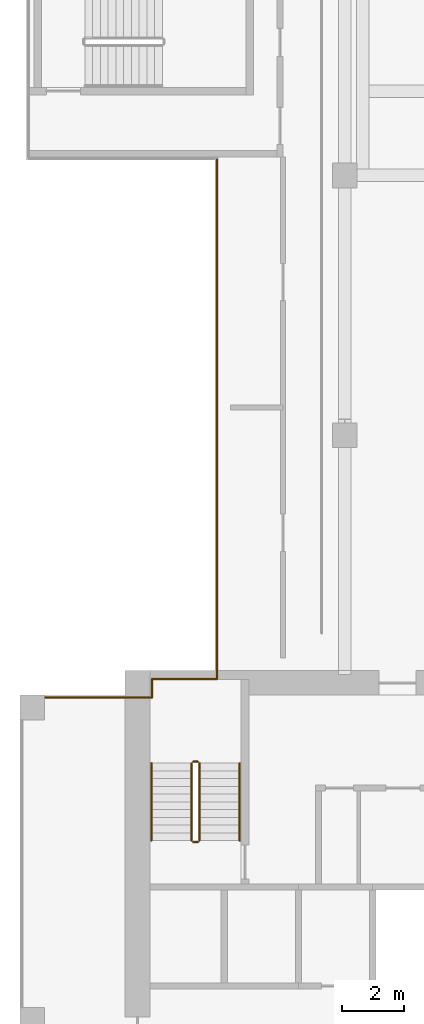
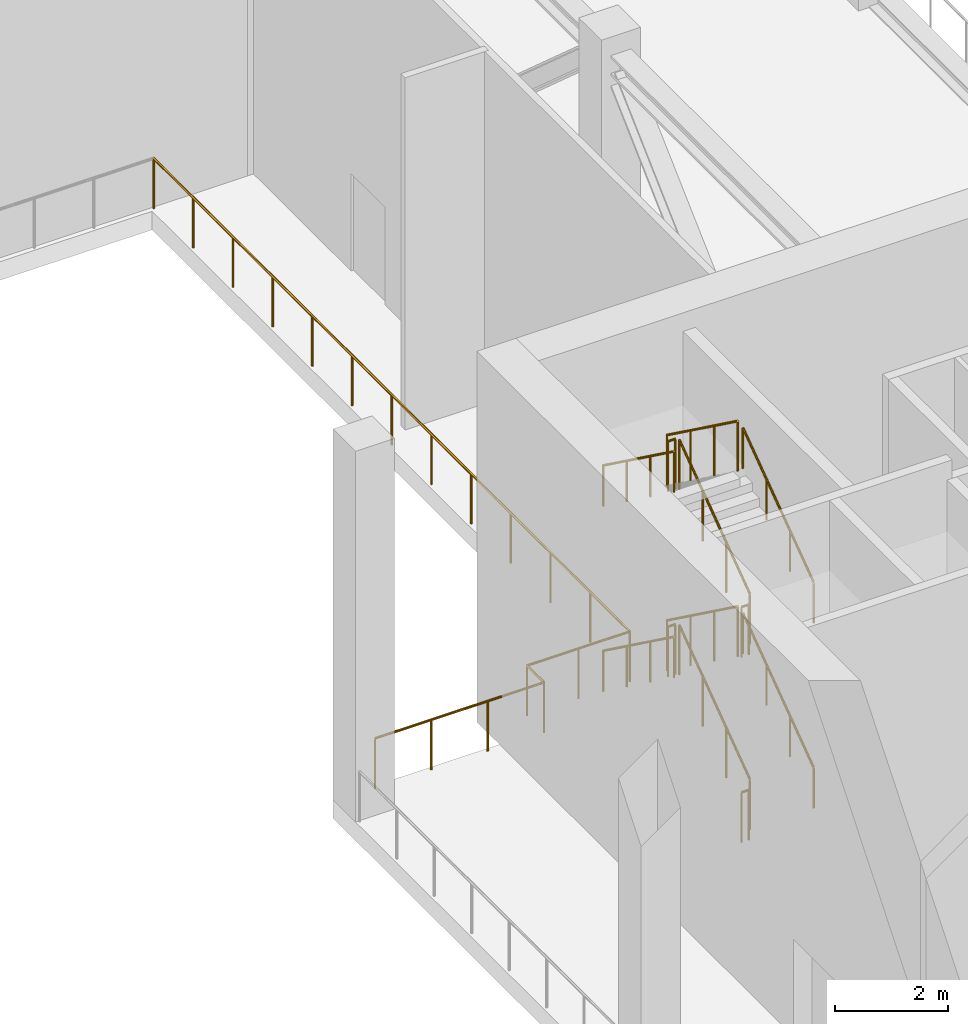
# One storey, part 5 of 9: 16 railings.
"""IFC4 building model written with IfcOpenShell, lengths in metres."""

from ifc_helpers import new_model, si_unit, direction, frame, origin, origin_2d, place, context, subcontext, project, spatial, circle, extrude, source, transform, mapped, material, type_object, element, save


model = new_model("IFC4")

# Units and contexts
model_context = context("Model", 3, precision=1e-05, world=origin(), true_north=direction((0.0, 1.0)))
body_context = subcontext(model_context, "Body", "Model", "MODEL_VIEW")
ifc_project = project(units=[si_unit("LENGTHUNIT", "METRE"), si_unit("AREAUNIT", "SQUARE_METRE"), si_unit("VOLUMEUNIT", "CUBIC_METRE"), si_unit("PLANEANGLEUNIT", "RADIAN"), si_unit("MASSUNIT", "GRAM", prefix="KILO")], contexts=[model_context])

# Site, building, storey
site_placement = place(None, origin())
site = spatial("IfcSite", under=ifc_project, at=site_placement, CompositionType="ELEMENT")
building_placement = place(site_placement, origin())
building = spatial("IfcBuilding", under=site, at=building_placement, Name="Aurelian Terraces", CompositionType="ELEMENT")
storey_placement = place(building_placement, frame((0.0, 0.0, 269.0)))
storey = spatial("IfcBuildingStorey", under=building, at=storey_placement, Name="L62", CompositionType="ELEMENT", Elevation=269.0)

# Railings
ifc_material_1 = material(Name="Anodised aluminium", Category="aluminium")
railing_type_1 = type_object("IfcRailingType", Name="GUARD-1100", PredefinedType="GUARDRAIL", material=ifc_material_1)
railing_1_placement = place(storey_placement, frame((0.82, 20.93, 0.0)))
element("IfcRailing", 1, at=railing_1_placement, inside=storey, type_object=railing_type_1, Name="Wind floor guard L62 13", PredefinedType="GUARDRAIL", context=body_context, shape_type="SweptSolid", body=[
    extrude(circle(Radius=0.024, at=origin_2d()), frame((0.0, 0.0, 1.076), z_axis=(1.0, 0.0, 0.0), x_axis=(0.0, 1.0, 0.0)), (0.0, 0.0, 1.0), 3.45),
    extrude(circle(Radius=0.021, at=origin_2d()), origin(), (0.0, 0.0, 1.0), 1.052),
    extrude(circle(Radius=0.021, at=origin_2d()), frame((1.15, 0.0, 0.0)), (0.0, 0.0, 1.0), 1.052),
    extrude(circle(Radius=0.021, at=origin_2d()), frame((2.3, 0.0, 0.0)), (0.0, 0.0, 1.0), 1.052),
    extrude(circle(Radius=0.021, at=origin_2d()), frame((3.45, 0.0, 0.0)), (0.0, 0.0, 1.0), 1.052),
])
shared_shape_1 = source(origin(), body_context, "Body", "SweptSolid", [
    extrude(circle(Radius=0.024, at=origin_2d()), frame((0.0, 0.0, 1.076), z_axis=(0.0, 1.0, 0.0), x_axis=(-1.0, 0.0, 0.0)), (0.0, 0.0, 1.0), 0.6),
    extrude(circle(Radius=0.021, at=origin_2d()), origin(), (0.0, 0.0, 1.0), 1.052),
    extrude(circle(Radius=0.021, at=origin_2d()), frame((0.0, 0.6, 0.0)), (0.0, 0.0, 1.0), 1.052),
])
railing_2_placement = place(storey_placement, frame((4.27, 20.93, 0.0)))
element("IfcRailing", 2, at=railing_2_placement, inside=storey, type_object=railing_type_1, Name="Wind floor guard L62 14", PredefinedType="GUARDRAIL", context=body_context, shape_type="MappedRepresentation", body=[
    mapped(shared_shape_1, transform((0.0, 0.0, 0.0), scale=1.0)),
])
shared_shape_2 = source(origin(), body_context, "Body", "SweptSolid", [
    extrude(circle(Radius=0.024, at=origin_2d()), frame((0.0, 0.0, 1.076), z_axis=(1.0, 0.0, 0.0), x_axis=(0.0, 1.0, 0.0)), (0.0, 0.0, 1.0), 2.1),
    extrude(circle(Radius=0.021, at=origin_2d()), origin(), (0.0, 0.0, 1.0), 1.052),
    extrude(circle(Radius=0.021, at=origin_2d()), frame((1.05, 0.0, 0.0)), (0.0, 0.0, 1.0), 1.052),
    extrude(circle(Radius=0.021, at=origin_2d()), frame((2.1, 0.0, 0.0)), (0.0, 0.0, 1.0), 1.052),
])
railing_3_placement = place(storey_placement, frame((4.27, 21.53, 0.0)))
element("IfcRailing", 3, at=railing_3_placement, inside=storey, type_object=railing_type_1, Name="Wind floor guard L62 15", PredefinedType="GUARDRAIL", context=body_context, shape_type="MappedRepresentation", body=[
    mapped(shared_shape_2, transform((0.0, 0.0, 0.0), scale=1.0)),
])
shared_shape_3 = source(origin(), body_context, "Body", "SweptSolid", [
    extrude(circle(Radius=0.024, at=origin_2d()), frame((0.0, 0.0, 1.076), z_axis=(0.0, 1.0, 0.0), x_axis=(-1.0, 0.0, 0.0)), (0.0, 0.0, 1.0), 16.84),
    extrude(circle(Radius=0.021, at=origin_2d()), origin(), (0.0, 0.0, 1.0), 1.052),
    extrude(circle(Radius=0.021, at=origin_2d()), frame((0.0, 1.4033, 0.0)), (0.0, 0.0, 1.0), 1.052),
    extrude(circle(Radius=0.021, at=origin_2d()), frame((0.0, 2.8067, 0.0)), (0.0, 0.0, 1.0), 1.052),
    extrude(circle(Radius=0.021, at=origin_2d()), frame((0.0, 4.21, 0.0)), (0.0, 0.0, 1.0), 1.052),
    extrude(circle(Radius=0.021, at=origin_2d()), frame((0.0, 5.6133, 0.0)), (0.0, 0.0, 1.0), 1.052),
    extrude(circle(Radius=0.021, at=origin_2d()), frame((0.0, 7.0167, 0.0)), (0.0, 0.0, 1.0), 1.052),
    extrude(circle(Radius=0.021, at=origin_2d()), frame((0.0, 8.42, 0.0)), (0.0, 0.0, 1.0), 1.052),
    extrude(circle(Radius=0.021, at=origin_2d()), frame((0.0, 9.8233, 0.0)), (0.0, 0.0, 1.0), 1.052),
    extrude(circle(Radius=0.021, at=origin_2d()), frame((0.0, 11.2267, 0.0)), (0.0, 0.0, 1.0), 1.052),
    extrude(circle(Radius=0.021, at=origin_2d()), frame((0.0, 12.63, 0.0)), (0.0, 0.0, 1.0), 1.052),
    extrude(circle(Radius=0.021, at=origin_2d()), frame((0.0, 14.0333, 0.0)), (0.0, 0.0, 1.0), 1.052),
    extrude(circle(Radius=0.021, at=origin_2d()), frame((0.0, 15.4367, 0.0)), (0.0, 0.0, 1.0), 1.052),
    extrude(circle(Radius=0.021, at=origin_2d()), frame((0.0, 16.84, 0.0)), (0.0, 0.0, 1.0), 1.052),
])
railing_4_placement = place(storey_placement, frame((6.37, 21.53, 0.0)))
element("IfcRailing", 4, at=railing_4_placement, inside=storey, type_object=railing_type_1, Name="Wind floor guard L62 16", PredefinedType="GUARDRAIL", context=body_context, shape_type="MappedRepresentation", body=[
    mapped(shared_shape_3, transform((0.0, 0.0, 0.0), scale=1.0)),
])
ifc_material_2 = material(Name="Stainless steel", Category="steel")
railing_type_2 = type_object("IfcRailingType", Name="Stair guard 1100", PredefinedType="GUARDRAIL", material=ifc_material_2)
shared_shape_4 = source(origin(), body_context, "Body", "SweptSolid", [
    extrude(circle(Radius=0.024, at=origin_2d()), frame((0.0, 0.0, 1.076), z_axis=(-1.0, 0.0, 0.0), x_axis=(0.0, -1.0, 0.0)), (0.0, 0.0, 1.0), 0.15),
    extrude(circle(Radius=0.021, at=origin_2d()), origin(), (0.0, 0.0, 1.0), 1.052),
    extrude(circle(Radius=0.021, at=origin_2d()), frame((-0.15, 0.0, 0.0)), (0.0, 0.0, 1.0), 1.052),
])
for number, where, name in (
    (5, (5.75, 18.85, 2.0), "L62 S1 stair guard 2"),
    (6, (5.75, 16.25, 4.0), "L62 S1 stair guard 4"),
    (7, (5.75, 18.85, 6.0), "L62 S1 stair guard 6"),
    (8, (5.75, 16.25, 0.0), "L62 S1 stair guard 8"),
):
    element("IfcRailing", number, at=place(storey_placement, frame(where)), inside=storey, type_object=railing_type_2, Name=name, PredefinedType="GUARDRAIL", context=body_context, shape_type="MappedRepresentation", body=[
        mapped(shared_shape_4, transform((0.0, 0.0, 0.0), scale=1.0)),
    ])
shared_shape_5 = source(origin(), body_context, "Body", "SweptSolid", [
    extrude(circle(Radius=0.024, at=origin_2d()), frame((0.0, 0.0, 1.076), z_axis=(0.0, 0.808733286514, 0.588175544616), x_axis=(-1.0, 0.0, 0.0)), (0.0, 0.0, 1.0), 3.0913),
    extrude(circle(Radius=0.021, at=origin_2d()), origin(), (0.0, 0.0, 1.0), 1.052),
    extrude(circle(Radius=0.021, at=origin_2d()), frame((0.0, 0.8333, 0.6061)), (0.0, 0.0, 1.0), 1.052),
    extrude(circle(Radius=0.021, at=origin_2d()), frame((0.0, 1.6667, 1.2121)), (0.0, 0.0, 1.0), 1.052),
    extrude(circle(Radius=0.021, at=origin_2d()), frame((0.0, 2.5, 1.8182)), (0.0, 0.0, 1.0), 1.052),
])
for number, where, name in (
    (9, (5.8, 16.3, 0.1818), "L62 S1 stair guard 1"),
    (10, (5.8, 16.3, 4.1818), "L62 S1 stair guard 5"),
):
    element("IfcRailing", number, at=place(storey_placement, frame(where)), inside=storey, type_object=railing_type_2, Name=name, PredefinedType="GUARDRAIL", context=body_context, shape_type="MappedRepresentation", body=[
        mapped(shared_shape_5, transform((0.0, 0.0, 0.0), scale=1.0)),
    ])
shared_shape_6 = source(origin(), body_context, "Body", "SweptSolid", [
    extrude(circle(Radius=0.024, at=origin_2d()), frame((0.0, 0.0, 1.076), z_axis=(0.0, -0.808733286514, 0.588175544616), x_axis=(1.0, 0.0, 0.0)), (0.0, 0.0, 1.0), 3.0913),
    extrude(circle(Radius=0.021, at=origin_2d()), origin(), (0.0, 0.0, 1.0), 1.052),
    extrude(circle(Radius=0.021, at=origin_2d()), frame((0.0, -0.8333, 0.6061)), (0.0, 0.0, 1.0), 1.052),
    extrude(circle(Radius=0.021, at=origin_2d()), frame((0.0, -1.6667, 1.2121)), (0.0, 0.0, 1.0), 1.052),
    extrude(circle(Radius=0.021, at=origin_2d()), frame((0.0, -2.5, 1.8182)), (0.0, 0.0, 1.0), 1.052),
])
for number, where, name in (
    (11, (5.55, 18.8, 2.1818), "L62 S1 stair guard 3"),
    (12, (5.55, 18.8, 6.1818), "L62 S1 stair guard 7"),
):
    element("IfcRailing", number, at=place(storey_placement, frame(where)), inside=storey, type_object=railing_type_2, Name=name, PredefinedType="GUARDRAIL", context=body_context, shape_type="MappedRepresentation", body=[
        mapped(shared_shape_6, transform((0.0, 0.0, 0.0), scale=1.0)),
    ])
railing_type_3 = type_object("IfcRailingType", Name="Stair handrail", PredefinedType="HANDRAIL", material=ifc_material_2)
shared_shape_7 = source(origin(), body_context, "Body", "SweptSolid", [
    extrude(circle(Radius=0.024, at=origin_2d()), frame((0.0, 0.0, 0.876), z_axis=(0.0, 0.808733286514, 0.588175544616), x_axis=(-1.0, 0.0, 0.0)), (0.0, 0.0, 1.0), 3.0913),
    extrude(circle(Radius=0.021, at=origin_2d()), origin(), (0.0, 0.0, 1.0), 0.852),
    extrude(circle(Radius=0.021, at=origin_2d()), frame((0.0, 0.8333, 0.6061)), (0.0, 0.0, 1.0), 0.852),
    extrude(circle(Radius=0.021, at=origin_2d()), frame((0.0, 1.6667, 1.2121)), (0.0, 0.0, 1.0), 0.852),
    extrude(circle(Radius=0.021, at=origin_2d()), frame((0.0, 2.5, 1.8182)), (0.0, 0.0, 1.0), 0.852),
])
for number, where, name in (
    (13, (7.1, 16.3, 0.1818), "L62 S1 stair handrail 1"),
    (14, (7.1, 16.3, 4.1818), "L62 S1 stair handrail 3"),
):
    element("IfcRailing", number, at=place(storey_placement, frame(where)), inside=storey, type_object=railing_type_3, Name=name, PredefinedType="HANDRAIL", context=body_context, shape_type="MappedRepresentation", body=[
        mapped(shared_shape_7, transform((0.0, 0.0, 0.0), scale=1.0)),
    ])
shared_shape_8 = source(origin(), body_context, "Body", "SweptSolid", [
    extrude(circle(Radius=0.024, at=origin_2d()), frame((0.0, 0.0, 0.876), z_axis=(0.0, -0.808733286514, 0.588175544616), x_axis=(1.0, 0.0, 0.0)), (0.0, 0.0, 1.0), 3.0913),
    extrude(circle(Radius=0.021, at=origin_2d()), origin(), (0.0, 0.0, 1.0), 0.852),
    extrude(circle(Radius=0.021, at=origin_2d()), frame((0.0, -0.8333, 0.6061)), (0.0, 0.0, 1.0), 0.852),
    extrude(circle(Radius=0.021, at=origin_2d()), frame((0.0, -1.6667, 1.2121)), (0.0, 0.0, 1.0), 0.852),
    extrude(circle(Radius=0.021, at=origin_2d()), frame((0.0, -2.5, 1.8182)), (0.0, 0.0, 1.0), 0.852),
])
for number, where, name in (
    (15, (4.25, 18.8, 2.1818), "L62 S1 stair handrail 2"),
    (16, (4.25, 18.8, 6.1818), "L62 S1 stair handrail 4"),
):
    element("IfcRailing", number, at=place(storey_placement, frame(where)), inside=storey, type_object=railing_type_3, Name=name, PredefinedType="HANDRAIL", context=body_context, shape_type="MappedRepresentation", body=[
        mapped(shared_shape_8, transform((0.0, 0.0, 0.0), scale=1.0)),
    ])

save(model, "model.ifc")
